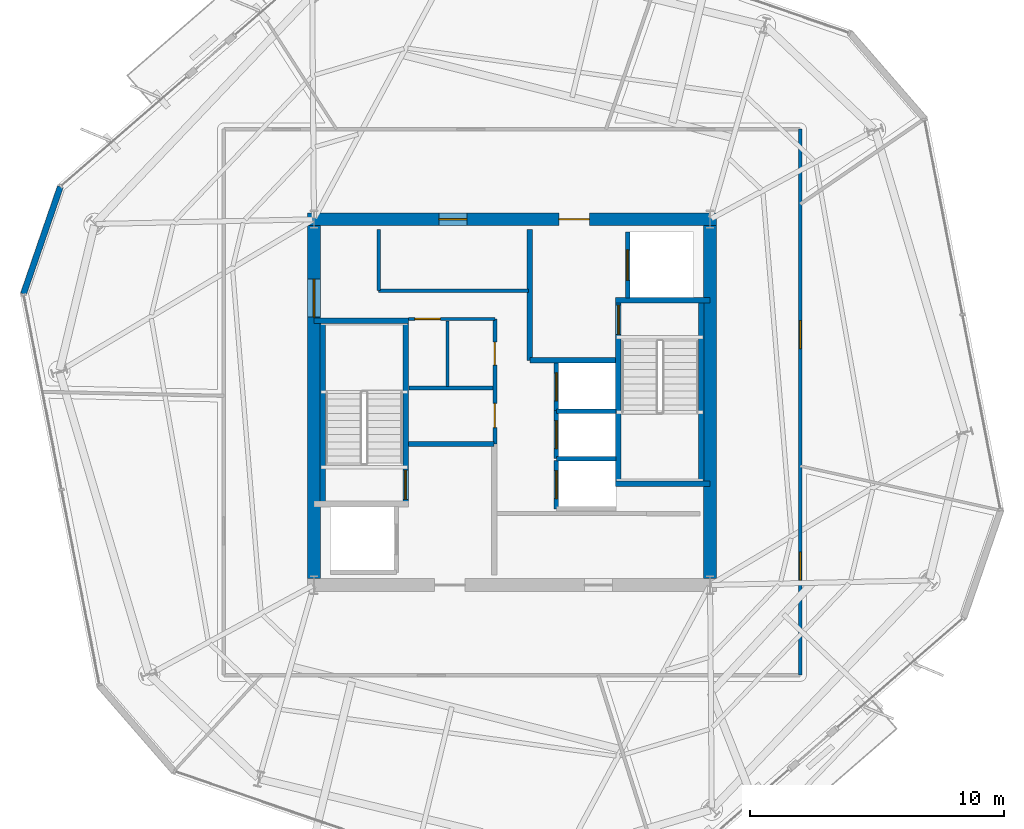
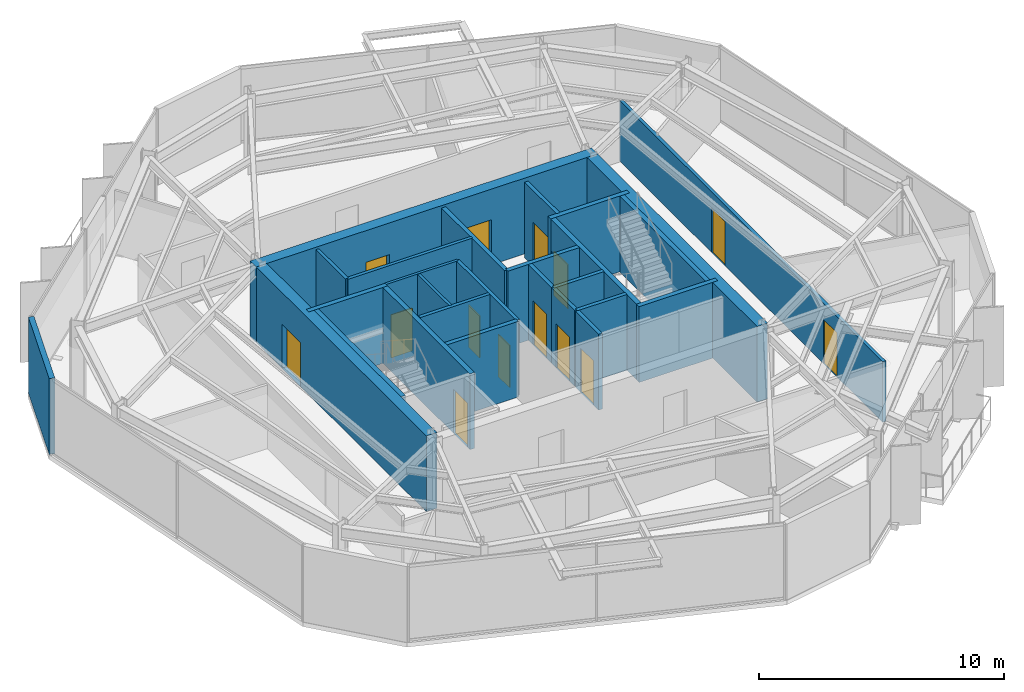
# One storey, part 7 of 11: 27 walls, 14 doors, 14 openings.
"""IFC4 building model written with IfcOpenShell, lengths in metres."""

from ifc_helpers import new_model, si_unit, direction, frame, frame_2d, origin, place, context, subcontext, project, spatial, rectangle, extrude, material, layer, layer_set, type_object, element, fill, save


model = new_model("IFC4")

# Units and contexts
model_context = context("Model", 3, precision=1e-05, world=origin(), true_north=direction((0.0, 1.0)))
body_context = subcontext(model_context, "Body", "Model", "MODEL_VIEW")
ifc_project = project(units=[si_unit("LENGTHUNIT", "METRE"), si_unit("AREAUNIT", "SQUARE_METRE"), si_unit("VOLUMEUNIT", "CUBIC_METRE"), si_unit("PLANEANGLEUNIT", "RADIAN"), si_unit("MASSUNIT", "GRAM", prefix="KILO")], contexts=[model_context])

# Site, building, storey
site_placement = place(None, origin())
site = spatial("IfcSite", under=ifc_project, at=site_placement, CompositionType="ELEMENT")
building_placement = place(site_placement, origin())
building = spatial("IfcBuilding", under=site, at=building_placement, Name="Kranzbogen Civic Tower", CompositionType="ELEMENT")
storey_placement = place(building_placement, frame((0.0, 0.0, 188.800048828125)))
storey = spatial("IfcBuildingStorey", under=building, at=storey_placement, Name="L45", CompositionType="ELEMENT", Elevation=188.800048828125)

# Walls
ifc_material_1 = material(Name="Double-Stud Acoustic Gypsum Partition")
ifc_layer_1 = layer(ifc_material_1, 0.14990234375, Name="Double-Stud Acoustic Gypsum Partition")
ifc_layer_set_1 = layer_set([ifc_layer_1], Name="Double-Stud Acoustic Gypsum Partition")
wall_type_1 = type_object("IfcWallType", Name="Acoustic Corridor and Clinical Partition 150 mm", PredefinedType="PARTITIONING", material=ifc_layer_set_1)
wall_1_placement = place(storey_placement, frame((19.75, 29.389892578125, 0.0), z_axis=(0.0, 0.0, 1.0), x_axis=(1.0, 0.0, 0.0)))
element("IfcWall", 1, at=wall_1_placement, inside=storey, type_object=wall_type_1, Name="L45 digital comms South wall", PredefinedType="PARTITIONING", context=body_context, shape_type="SweptSolid", body=[
    extrude(rectangle(XDim=5.89990234375, YDim=0.14990234375, at=frame_2d((2.949951171875, 0.0))), origin(), (0.0, 0.0, 1.0), 3.780029296875),
])
wall_2_placement = place(storey_placement, frame((19.75, 29.389892578125, 0.0), z_axis=(0.0, 0.0, 1.0), x_axis=(0.0, 1.0, 0.0)))
element("IfcWall", 2, at=wall_2_placement, inside=storey, type_object=wall_type_1, Name="L45 digital comms West wall", PredefinedType="PARTITIONING", context=body_context, shape_type="SweptSolid", body=[
    extrude(rectangle(XDim=2.41015625, YDim=0.14990234375, at=frame_2d((1.205078125, 0.0))), origin(), (0.0, 0.0, 1.0), 3.780029296875),
])

# Wall, openings, doors
wall_3_placement = place(storey_placement, frame((36.35009765625, 35.75, 0.0), z_axis=(0.0, 0.0, 1.0), x_axis=(0.0, -1.0, 0.0)))
wall_3 = element("IfcWall", 3, at=wall_3_placement, inside=storey, type_object=wall_type_1, Name="L45 corridor partition 02", PredefinedType="PARTITIONING", context=body_context, shape_type="SweptSolid", body=[
    extrude(rectangle(XDim=21.5, YDim=0.14990234375, at=frame_2d((10.75, 0.0))), origin(), (0.0, 0.0, 1.0), 3.02001953125),
])
opening_1_placement = place(wall_3_placement, frame((16.656982421875, 0.0, 0.0)))
opening_1 = element("IfcOpeningElement", 4, at=opening_1_placement, cuts=wall_3, Name="Opening D-COR60", PredefinedType="OPENING", context=body_context, shape_type="SweptSolid", body=[
    extrude(rectangle(XDim=1.10009765625, YDim=2.199951171875, at=frame_2d((0.550048828125, 1.10009765625))), frame((0.0, 0.0849609375, 0.0), z_axis=(0.0, -1.0, 0.0), x_axis=(1.0, 0.0, 0.0)), (0.0, 0.0, 1.0), 0.169921875),
])
opening_2_placement = place(wall_3_placement, frame((7.5380859375, 0.0, 0.0)))
opening_2 = element("IfcOpeningElement", 5, at=opening_2_placement, cuts=wall_3, Name="Opening D-COR60", PredefinedType="OPENING", context=body_context, shape_type="SweptSolid", body=[
    extrude(rectangle(XDim=1.10009765625, YDim=2.199951171875, at=frame_2d((0.550048828125, 1.10009765625))), frame((0.0, 0.0849609375, 0.0), z_axis=(0.0, -1.0, 0.0), x_axis=(1.0, 0.0, 0.0)), (0.0, 0.0, 1.0), 0.169921875),
])
ifc_material_2 = material(Name="Oak Timber and Fire Core", Category="wood")
door_type_1 = type_object("IfcDoorType", Name="Corridor Acoustic Fire Door 1100x2200", OperationType="NOTDEFINED", PredefinedType="DOOR", material=ifc_material_2)
door_1_placement = place(opening_1_placement, origin())
door_1 = element("IfcDoor", 6, at=door_1_placement, inside=storey, type_object=door_type_1, Name="L45 Cultural Screening Clubroom door", OperationType="SINGLE_SWING_LEFT", OverallHeight=2.199951171875, OverallWidth=1.10009765625, PredefinedType="DOOR", context=body_context, shape_type="SweptSolid", body=[
    extrude(rectangle(XDim=1.10009765625, YDim=2.199951171875, at=frame_2d((0.550048828125, 1.10009765625))), frame((0.0, 0.02490234375, 0.0), z_axis=(0.0, -1.0, 0.0), x_axis=(1.0, 0.0, 0.0)), (0.0, 0.0, 1.0), 0.050048828125),
])
fill(opening_1, door_1)
door_2_placement = place(opening_2_placement, origin())
door_2 = element("IfcDoor", 7, at=door_2_placement, inside=storey, type_object=door_type_1, Name="L45 Operations Security Control Room door", OperationType="SINGLE_SWING_RIGHT", OverallHeight=2.199951171875, OverallWidth=1.10009765625, PredefinedType="DOOR", context=body_context, shape_type="SweptSolid", body=[
    extrude(rectangle(XDim=1.10009765625, YDim=2.199951171875, at=frame_2d((0.550048828125, 1.10009765625))), frame((0.0, 0.02490234375, 0.0), z_axis=(0.0, -1.0, 0.0), x_axis=(1.0, 0.0, 0.0)), (0.0, 0.0, 1.0), 0.050048828125),
])
fill(opening_2, door_2)

# Wall, opening, door
ifc_material_3 = material(Name="Insulated Metal-Stud Gypsum Partition")
ifc_layer_2 = layer(ifc_material_3, 0.125, Name="Insulated Metal-Stud Gypsum Partition")
ifc_layer_set_2 = layer_set([ifc_layer_2], Name="Insulated Metal-Stud Gypsum Partition")
wall_type_2 = type_object("IfcWallType", Name="Acoustic Inter-Room Partition 125 mm", PredefinedType="PARTITIONING", material=ifc_layer_set_2)
wall_4_placement = place(storey_placement, frame((20.919921875, 28.280029296875, 0.0), z_axis=(0.0, 0.0, 1.0), x_axis=(1.0, 0.0, 0.0)))
wall_4 = element("IfcWall", 8, at=wall_4_placement, inside=storey, type_object=wall_type_2, Name="L45 core auxiliary North wall", PredefinedType="PARTITIONING", context=body_context, shape_type="SweptSolid", body=[
    extrude(rectangle(XDim=3.405029296875, YDim=0.125, at=frame_2d((1.70263671875, 0.0))), origin(), (0.0, 0.0, 1.0), 3.780029296875),
])
opening_3_placement = place(wall_4_placement, frame((0.2548828125, 0.0, 0.0)))
opening_3 = element("IfcOpeningElement", 9, at=opening_3_placement, cuts=wall_4, Name="Opening D-RSR10", PredefinedType="OPENING", context=body_context, shape_type="SweptSolid", body=[
    extrude(rectangle(XDim=1.0, YDim=2.14990234375, at=frame_2d((0.5, 1.074951171875))), frame((0.0, 0.072509765625, 0.0), z_axis=(0.0, -1.0, 0.0), x_axis=(1.0, 0.0, 0.0)), (0.0, 0.0, 1.0), 0.14501953125),
])
door_type_2 = type_object("IfcDoorType", Name="Core Archive and Riser Fire Door 1000x2150", OperationType="NOTDEFINED", PredefinedType="DOOR", material=ifc_material_2)
door_3_placement = place(opening_3_placement, origin())
door_3 = element("IfcDoor", 10, at=door_3_placement, inside=storey, type_object=door_type_2, Name="L45 Telecom and Riser Room door", OperationType="SINGLE_SWING_LEFT", OverallHeight=2.14990234375, OverallWidth=1.0, PredefinedType="DOOR", context=body_context, shape_type="SweptSolid", body=[
    extrude(rectangle(XDim=1.0, YDim=2.14990234375, at=frame_2d((0.5, 1.074951171875))), frame((0.0, 0.02490234375, 0.0), z_axis=(0.0, -1.0, 0.0), x_axis=(1.0, 0.0, 0.0)), (0.0, 0.0, 1.0), 0.050048828125),
])
fill(opening_3, door_3)

# Wall
wall_5_placement = place(storey_placement, frame((22.4599609375, 25.6201171875, 0.0), z_axis=(0.0, 0.0, 1.0), x_axis=(0.0, 1.0, 0.0)))
element("IfcWall", 11, at=wall_5_placement, inside=storey, type_object=wall_type_2, Name="L45 core auxiliary partition 2", PredefinedType="PARTITIONING", context=body_context, shape_type="SweptSolid", body=[
    extrude(rectangle(XDim=2.579833984375, YDim=0.125, at=frame_2d((1.2900390625, 0.0))), origin(), (0.0, 0.0, 1.0), 3.780029296875),
])

# Wall, openings, doors
ifc_material_4 = material(Name="Concrete C45/55", Category="concrete")
ifc_layer_3 = layer(ifc_material_4, 0.5, Name="Concrete C45/55")
ifc_layer_set_3 = layer_set([ifc_layer_3], Name="Concrete C45/55")
wall_type_3 = type_object("IfcWallType", Name="Central Core Shear Wall 500 mm", PredefinedType="SHEAR", material=ifc_layer_set_3)
wall_6_placement = place(storey_placement, frame((33.050048828125, 32.199951171875, 0.0), z_axis=(0.0, 0.0, 1.0), x_axis=(-1.0, 0.0, 0.0)))
wall_6 = element("IfcWall", 12, at=wall_6_placement, inside=storey, type_object=wall_type_3, Name="L45 central core North shear wall", PredefinedType="SHEAR", context=body_context, shape_type="SweptSolid", body=[
    extrude(rectangle(XDim=16.10009765625, YDim=0.5, at=frame_2d((8.050048828125, 0.0))), origin(), (0.0, 0.0, 1.0), 3.780029296875),
])
opening_4_placement = place(wall_6_placement, frame((5.0, 0.0, 0.0)))
opening_4 = element("IfcOpeningElement", 13, at=opening_4_placement, cuts=wall_6, Name="Opening D-EX120", PredefinedType="OPENING", context=body_context, shape_type="SweptSolid", body=[
    extrude(rectangle(XDim=1.199951171875, YDim=2.25, at=frame_2d((0.60009765625, 1.125))), frame((0.0, 0.260009765625, 0.0), z_axis=(0.0, -1.0, 0.0), x_axis=(1.0, 0.0, 0.0)), (0.0, 0.0, 1.0), 0.52001953125),
])
opening_5_placement = place(wall_6_placement, frame((9.824951171875, 0.0, 0.0)))
opening_5 = element("IfcOpeningElement", 14, at=opening_5_placement, cuts=wall_6, Name="Opening D-COR60", PredefinedType="OPENING", context=body_context, shape_type="SweptSolid", body=[
    extrude(rectangle(XDim=1.10009765625, YDim=2.199951171875, at=frame_2d((0.550048828125, 1.10009765625))), frame((0.0, 0.260009765625, 0.0), z_axis=(0.0, -1.0, 0.0), x_axis=(1.0, 0.0, 0.0)), (0.0, 0.0, 1.0), 0.52001953125),
])
door_4_placement = place(opening_5_placement, origin())
door_4 = element("IfcDoor", 15, at=door_4_placement, inside=storey, type_object=door_type_1, Name="L45 DAT1 comms room door", OperationType="SINGLE_SWING_RIGHT", OverallHeight=2.199951171875, OverallWidth=1.10009765625, PredefinedType="DOOR", context=body_context, shape_type="SweptSolid", body=[
    extrude(rectangle(XDim=1.10009765625, YDim=2.199951171875, at=frame_2d((0.550048828125, 1.10009765625))), frame((0.0, 0.02490234375, 0.0), z_axis=(0.0, -1.0, 0.0), x_axis=(1.0, 0.0, 0.0)), (0.0, 0.0, 1.0), 0.050048828125),
])
fill(opening_5, door_4)
ifc_material_5 = material(Name="Steel S355", Category="steel")
door_type_3 = type_object("IfcDoorType", Name="Exit Passageway Fire Door 1200x2250", OperationType="NOTDEFINED", PredefinedType="DOOR", material=ifc_material_5)
door_5_placement = place(opening_4_placement, origin())
door_5 = element("IfcDoor", 16, at=door_5_placement, inside=storey, type_object=door_type_3, Name="L45 East firefighting lobby corridor door", OperationType="SINGLE_SWING_LEFT", OverallHeight=2.25, OverallWidth=1.199951171875, PredefinedType="DOOR", context=body_context, shape_type="SweptSolid", body=[
    extrude(rectangle(XDim=1.199951171875, YDim=2.25, at=frame_2d((0.60009765625, 1.125))), frame((0.0, 0.02490234375, 0.0), z_axis=(0.0, -1.0, 0.0), x_axis=(1.0, 0.0, 0.0)), (0.0, 0.0, 1.0), 0.050048828125),
])
fill(opening_4, door_5)

# Wall, opening, door
wall_7_placement = place(storey_placement, frame((17.199951171875, 31.949951171875, 0.0), z_axis=(0.0, 0.0, 1.0), x_axis=(0.0, -1.0, 0.0)))
wall_7 = element("IfcWall", 17, at=wall_7_placement, inside=storey, type_object=wall_type_3, Name="L45 central core West shear wall", PredefinedType="SHEAR", context=body_context, shape_type="SweptSolid", body=[
    extrude(rectangle(XDim=13.89990234375, YDim=0.5, at=frame_2d((6.949951171875, 0.0))), origin(), (0.0, 0.0, 1.0), 3.780029296875),
])
opening_6_placement = place(wall_7_placement, frame((2.10009765625, 0.0, 0.0)))
opening_6 = element("IfcOpeningElement", 18, at=opening_6_placement, cuts=wall_7, Name="Opening D-DBL15", PredefinedType="OPENING", context=body_context, shape_type="SweptSolid", body=[
    extrude(rectangle(XDim=1.5, YDim=2.199951171875, at=frame_2d((0.75, 1.10009765625))), frame((0.0, 0.260009765625, 0.0), z_axis=(0.0, -1.0, 0.0), x_axis=(1.0, 0.0, 0.0)), (0.0, 0.0, 1.0), 0.52001953125),
])
ifc_material_6 = material(Name="Anodised Bronze and Glass", Category="glass")
door_type_4 = type_object("IfcDoorType", Name="Civic Lobby Double Door 1500x2200", OperationType="DOUBLE_DOOR_SINGLE_SWING", PredefinedType="DOOR", material=ifc_material_6)
door_6_placement = place(opening_6_placement, origin())
door_6 = element("IfcDoor", 19, at=door_6_placement, inside=storey, type_object=door_type_4, Name="L45 Central Lift Lobby West concourse door", OperationType="DOUBLE_DOOR_SINGLE_SWING", OverallHeight=2.199951171875, OverallWidth=1.5, PredefinedType="DOOR", context=body_context, shape_type="SweptSolid", body=[
    extrude(rectangle(XDim=1.5, YDim=2.199951171875, at=frame_2d((0.75, 1.10009765625))), frame((0.0, 0.02490234375, 0.0), z_axis=(0.0, -1.0, 0.0), x_axis=(1.0, 0.0, 0.0)), (0.0, 0.0, 1.0), 0.050048828125),
])
fill(opening_6, door_6)

# Wall
wall_8_placement = place(storey_placement, frame((32.800048828125, 18.050048828125, 0.0), z_axis=(0.0, 0.0, 1.0), x_axis=(0.0, 1.0, 0.0)))
element("IfcWall", 20, at=wall_8_placement, inside=storey, type_object=wall_type_3, Name="L45 central core East shear wall", PredefinedType="SHEAR", context=body_context, shape_type="SweptSolid", body=[
    extrude(rectangle(XDim=13.89990234375, YDim=0.5, at=frame_2d((6.949951171875, 0.0))), origin(), (0.0, 0.0, 1.0), 3.780029296875),
])

# Wall, opening, door
ifc_layer_4 = layer(ifc_material_4, 0.219970703125, Name="Concrete C45/55")
ifc_layer_set_4 = layer_set([ifc_layer_4], Name="Concrete C45/55")
wall_type_4 = type_object("IfcWallType", Name="Core Internal Stair Structural Wall 220 mm", PredefinedType="SOLIDWALL", material=ifc_layer_set_4)
wall_9_placement = place(storey_placement, frame((20.81005859375, 20.989990234375, 0.0), z_axis=(0.0, 0.0, 1.0), x_axis=(0.0, 1.0, 0.0)))
wall_9 = element("IfcWall", 21, at=wall_9_placement, inside=storey, type_object=wall_type_4, Name="L45 ST-T1 East structural stair wall", PredefinedType="SOLIDWALL", context=body_context, shape_type="SweptSolid", body=[
    extrude(rectangle(XDim=7.219970703125, YDim=0.219970703125, at=frame_2d((3.60986328125, 0.0))), origin(), (0.0, 0.0, 1.0), 3.780029296875),
])
opening_7_placement = place(wall_9_placement, frame((0.179931640625, 0.0, 0.0)))
opening_7 = element("IfcOpeningElement", 22, at=opening_7_placement, cuts=wall_9, Name="Opening D-ST90", PredefinedType="OPENING", context=body_context, shape_type="SweptSolid", body=[
    extrude(rectangle(XDim=1.14990234375, YDim=2.199951171875, at=frame_2d((0.574951171875, 1.10009765625))), frame((0.0, 0.1201171875, 0.0), z_axis=(0.0, -1.0, 0.0), x_axis=(1.0, 0.0, 0.0)), (0.0, 0.0, 1.0), 0.239990234375),
])
door_type_5 = type_object("IfcDoorType", Name="Pressurized Stair and Lobby Fire Door 1150x2200", OperationType="NOTDEFINED", PredefinedType="DOOR", material=ifc_material_5)
door_7_placement = place(opening_7_placement, origin())
door_7 = element("IfcDoor", 23, at=door_7_placement, inside=storey, type_object=door_type_5, Name="L45 Stair ST-T1 fire door", OperationType="SINGLE_SWING_RIGHT", OverallHeight=2.199951171875, OverallWidth=1.14990234375, PredefinedType="DOOR", context=body_context, shape_type="SweptSolid", body=[
    extrude(rectangle(XDim=1.14990234375, YDim=2.199951171875, at=frame_2d((0.574951171875, 1.10009765625))), frame((0.0, 0.02490234375, 0.0), z_axis=(0.0, -1.0, 0.0), x_axis=(1.0, 0.0, 0.0)), (0.0, 0.0, 1.0), 0.050048828125),
])
fill(opening_7, door_7)

# Walls
wall_10_placement = place(storey_placement, frame((17.199951171875, 28.2099609375, 0.0), z_axis=(0.0, 0.0, 1.0), x_axis=(1.0, 0.0, 0.0)))
element("IfcWall", 24, at=wall_10_placement, inside=storey, type_object=wall_type_4, Name="L45 ST-T1 North structural stair wall", PredefinedType="SOLIDWALL", context=body_context, shape_type="SweptSolid", body=[
    extrude(rectangle(XDim=3.719970703125, YDim=0.219970703125, at=frame_2d((1.85986328125, 0.0))), origin(), (0.0, 0.0, 1.0), 3.780029296875),
])
wall_11_placement = place(storey_placement, frame((17.554931640625, 28.2099609375, 0.0), z_axis=(0.0, 0.0, 1.0), x_axis=(0.0, -1.0, 0.0)))
element("IfcWall", 25, at=wall_11_placement, inside=storey, type_object=wall_type_4, Name="L45 ST-T1 West structural stair wall", PredefinedType="SOLIDWALL", context=body_context, shape_type="SweptSolid", body=[
    extrude(rectangle(XDim=7.219970703125, YDim=0.219970703125, at=frame_2d((3.60986328125, 0.0))), origin(), (0.0, 0.0, 1.0), 3.780029296875),
])

# Wall, opening, door
wall_12_placement = place(storey_placement, frame((29.18994140625, 21.7900390625, 0.0), z_axis=(0.0, 0.0, 1.0), x_axis=(0.0, 1.0, 0.0)))
wall_12 = element("IfcWall", 26, at=wall_12_placement, inside=storey, type_object=wall_type_4, Name="L45 ST-T2 West structural stair wall", PredefinedType="SOLIDWALL", context=body_context, shape_type="SweptSolid", body=[
    extrude(rectangle(XDim=7.219970703125, YDim=0.219970703125, at=frame_2d((3.60986328125, 0.0))), origin(), (0.0, 0.0, 1.0), 3.780029296875),
])
opening_8_placement = place(wall_12_placement, frame((5.8798828125, 0.0, 0.0)))
opening_8 = element("IfcOpeningElement", 27, at=opening_8_placement, cuts=wall_12, Name="Opening D-ST90", PredefinedType="OPENING", context=body_context, shape_type="SweptSolid", body=[
    extrude(rectangle(XDim=1.14990234375, YDim=2.199951171875, at=frame_2d((0.574951171875, 1.10009765625))), frame((0.0, 0.1201171875, 0.0), z_axis=(0.0, -1.0, 0.0), x_axis=(1.0, 0.0, 0.0)), (0.0, 0.0, 1.0), 0.239990234375),
])
door_8_placement = place(opening_8_placement, origin())
door_8 = element("IfcDoor", 28, at=door_8_placement, inside=storey, type_object=door_type_5, Name="L45 Stair ST-T2 fire door", OperationType="SINGLE_SWING_LEFT", OverallHeight=2.199951171875, OverallWidth=1.14990234375, PredefinedType="DOOR", context=body_context, shape_type="SweptSolid", body=[
    extrude(rectangle(XDim=1.14990234375, YDim=2.199951171875, at=frame_2d((0.574951171875, 1.10009765625))), frame((0.0, 0.02490234375, 0.0), z_axis=(0.0, -1.0, 0.0), x_axis=(1.0, 0.0, 0.0)), (0.0, 0.0, 1.0), 0.050048828125),
])
fill(opening_8, door_8)

# Walls
for number, where, z_axis, x_axis, name in (
    (29, (29.080078125, 21.7900390625, 0.0), (0.0, 0.0, 1.0), (1.0, 0.0, 0.0), "L45 ST-T2 South structural stair wall"),
    (30, (29.080078125, 29.010009765625, 0.0), (0.0, 0.0, 1.0), (1.0, 0.0, 0.0), "L45 ST-T2 North structural stair wall"),
):
    element("IfcWall", number, at=place(storey_placement, frame(where, z_axis=z_axis, x_axis=x_axis)), inside=storey, type_object=wall_type_4, Name=name, PredefinedType="SOLIDWALL", context=body_context, shape_type="SweptSolid", body=[
        extrude(rectangle(XDim=3.719970703125, YDim=0.219970703125, at=frame_2d((1.85986328125, 0.0))), origin(), (0.0, 0.0, 1.0), 3.780029296875),
    ])
wall_13_placement = place(storey_placement, frame((32.445068359375, 29.010009765625, 0.0), z_axis=(0.0, 0.0, 1.0), x_axis=(0.0, -1.0, 0.0)))
element("IfcWall", 31, at=wall_13_placement, inside=storey, type_object=wall_type_4, Name="L45 ST-T2 East structural stair wall", PredefinedType="SOLIDWALL", context=body_context, shape_type="SweptSolid", body=[
    extrude(rectangle(XDim=7.219970703125, YDim=0.219970703125, at=frame_2d((3.60986328125, 0.0))), origin(), (0.0, 0.0, 1.0), 3.780029296875),
])
ifc_material_7 = material(Name="Gypsum Fireboard and Concrete Block", Category="concrete")
ifc_layer_5 = layer(ifc_material_7, 0.199951171875, Name="Gypsum Fireboard and Concrete Block")
ifc_layer_set_5 = layer_set([ifc_layer_5], Name="Gypsum Fireboard and Concrete Block")
wall_type_5 = type_object("IfcWallType", Name="Fire-Rated Exit Passageway and Stair Wall 200 mm", PredefinedType="PARTITIONING", material=ifc_layer_set_5)
wall_14_placement = place(storey_placement, frame((20.919921875, 23.35009765625, 0.0), z_axis=(0.0, 0.0, 1.0), x_axis=(1.0, 0.0, 0.0)))
element("IfcWall", 32, at=wall_14_placement, inside=storey, type_object=wall_type_5, Name="L45 West firefighting lobby North wall", PredefinedType="PARTITIONING", context=body_context, shape_type="SweptSolid", body=[
    extrude(rectangle(XDim=3.380126953125, YDim=0.199951171875, at=frame_2d((1.68994140625, 0.0))), origin(), (0.0, 0.0, 1.0), 3.780029296875),
])
wall_15_placement = place(storey_placement, frame((25.699951171875, 26.64990234375, 0.0), z_axis=(0.0, 0.0, 1.0), x_axis=(0.0, 1.0, 0.0)))
element("IfcWall", 33, at=wall_15_placement, inside=storey, type_object=wall_type_5, Name="L45 East firefighting lobby West wall", PredefinedType="PARTITIONING", context=body_context, shape_type="SweptSolid", body=[
    extrude(rectangle(XDim=5.150146484375, YDim=0.199951171875, at=frame_2d((2.5751953125, 0.0))), origin(), (0.0, 0.0, 1.0), 3.780029296875),
])
wall_16_placement = place(storey_placement, frame((25.699951171875, 26.64990234375, 0.0), z_axis=(0.0, 0.0, 1.0), x_axis=(1.0, 0.0, 0.0)))
element("IfcWall", 34, at=wall_16_placement, inside=storey, type_object=wall_type_5, Name="L45 East firefighting lobby South wall", PredefinedType="PARTITIONING", context=body_context, shape_type="SweptSolid", body=[
    extrude(rectangle(XDim=3.380126953125, YDim=0.199951171875, at=frame_2d((1.68994140625, 0.0))), origin(), (0.0, 0.0, 1.0), 3.780029296875),
])

# Wall, opening, door
ifc_material_8 = material(Name="Gypsum Fireboard Shaftliner")
ifc_layer_6 = layer(ifc_material_8, 0.175048828125, Name="Gypsum Fireboard Shaftliner")
ifc_layer_set_6 = layer_set([ifc_layer_6], Name="Gypsum Fireboard Shaftliner")
wall_type_6 = type_object("IfcWallType", Name="Fire-Rated Lift and Service Shaft Wall 175 mm", PredefinedType="PARTITIONING", material=ifc_layer_set_6)
wall_17_placement = place(storey_placement, frame((26.75, 20.800048828125, 0.0), z_axis=(0.0, 0.0, 1.0), x_axis=(0.0, 1.0, 0.0)))
wall_17 = element("IfcWall", 35, at=wall_17_placement, inside=storey, type_object=wall_type_6, Name="L45 lift HP-01 landing wall", PredefinedType="PARTITIONING", context=body_context, shape_type="SweptSolid", body=[
    extrude(rectangle(XDim=1.89990234375, YDim=0.175048828125, at=frame_2d((0.949951171875, 0.0))), origin(), (0.0, 0.0, 1.0), 3.780029296875),
])
opening_9_placement = place(wall_17_placement, frame((0.39990234375, 0.0, 0.0)))
opening_9 = element("IfcOpeningElement", 36, at=opening_9_placement, cuts=wall_17, Name="Opening LD-HP-01", PredefinedType="OPENING", context=body_context, shape_type="SweptSolid", body=[
    extrude(rectangle(XDim=1.10009765625, YDim=2.199951171875, at=frame_2d((0.550048828125, 1.10009765625))), frame((0.0, 0.09765625, 0.0), z_axis=(0.0, -1.0, 0.0), x_axis=(1.0, 0.0, 0.0)), (0.0, 0.0, 1.0), 0.195068359375),
])
ifc_material_9 = material(Name="Pale Anodised Aluminium", Category="aluminium")
door_type_6 = type_object("IfcDoorType", Name="Passenger Lift Sliding Landing Door 1100x2200", OperationType="DOUBLE_DOOR_SLIDING", PredefinedType="DOOR", material=ifc_material_9)
door_9_placement = place(opening_9_placement, origin())
door_9 = element("IfcDoor", 37, at=door_9_placement, inside=storey, type_object=door_type_6, Name="L45 lift HP-01 sliding landing door", OperationType="DOUBLE_DOOR_SLIDING", OverallHeight=2.199951171875, OverallWidth=1.10009765625, PredefinedType="DOOR", context=body_context, shape_type="SweptSolid", body=[
    extrude(rectangle(XDim=1.10009765625, YDim=2.199951171875, at=frame_2d((0.550048828125, 1.10009765625))), frame((0.0, 0.02490234375, 0.0), z_axis=(0.0, -1.0, 0.0), x_axis=(1.0, 0.0, 0.0)), (0.0, 0.0, 1.0), 0.050048828125),
])
fill(opening_9, door_9)

wall_18_placement = place(storey_placement, frame((26.75, 22.77490234375, 0.0), z_axis=(0.0, 0.0, 1.0), x_axis=(0.0, 1.0, 0.0)))
wall_18 = element("IfcWall", 38, at=wall_18_placement, inside=storey, type_object=wall_type_6, Name="L45 lift HP-02 landing wall", PredefinedType="PARTITIONING", context=body_context, shape_type="SweptSolid", body=[
    extrude(rectangle(XDim=1.900146484375, YDim=0.175048828125, at=frame_2d((0.9501953125, 0.0))), origin(), (0.0, 0.0, 1.0), 3.780029296875),
])
opening_10_placement = place(wall_18_placement, frame((0.39990234375, 0.0, 0.0)))
opening_10 = element("IfcOpeningElement", 39, at=opening_10_placement, cuts=wall_18, Name="Opening LD-HP-02", PredefinedType="OPENING", context=body_context, shape_type="SweptSolid", body=[
    extrude(rectangle(XDim=1.10009765625, YDim=2.199951171875, at=frame_2d((0.550048828125, 1.10009765625))), frame((0.0, 0.09765625, 0.0), z_axis=(0.0, -1.0, 0.0), x_axis=(1.0, 0.0, 0.0)), (0.0, 0.0, 1.0), 0.195068359375),
])
door_10_placement = place(opening_10_placement, origin())
door_10 = element("IfcDoor", 40, at=door_10_placement, inside=storey, type_object=door_type_6, Name="L45 lift HP-02 sliding landing door", OperationType="DOUBLE_DOOR_SLIDING", OverallHeight=2.199951171875, OverallWidth=1.10009765625, PredefinedType="DOOR", context=body_context, shape_type="SweptSolid", body=[
    extrude(rectangle(XDim=1.10009765625, YDim=2.199951171875, at=frame_2d((0.550048828125, 1.10009765625))), frame((0.0, 0.02490234375, 0.0), z_axis=(0.0, -1.0, 0.0), x_axis=(1.0, 0.0, 0.0)), (0.0, 0.0, 1.0), 0.050048828125),
])
fill(opening_10, door_10)

# Wall
wall_19_placement = place(storey_placement, frame((26.75, 22.77490234375, 0.0), z_axis=(0.0, 0.0, 1.0), x_axis=(1.0, 0.0, 0.0)))
element("IfcWall", 41, at=wall_19_placement, inside=storey, type_object=wall_type_6, Name="L45 lift HP-02 side wall", PredefinedType="PARTITIONING", context=body_context, shape_type="SweptSolid", body=[
    extrude(rectangle(XDim=2.35009765625, YDim=0.175048828125, at=frame_2d((1.175048828125, 0.0))), origin(), (0.0, 0.0, 1.0), 3.780029296875),
])

# Wall, opening, door
wall_20_placement = place(storey_placement, frame((26.75, 24.64990234375, 0.0), z_axis=(0.0, 0.0, 1.0), x_axis=(0.0, 1.0, 0.0)))
wall_20 = element("IfcWall", 42, at=wall_20_placement, inside=storey, type_object=wall_type_6, Name="L45 lift HP-03 landing wall", PredefinedType="PARTITIONING", context=body_context, shape_type="SweptSolid", body=[
    extrude(rectangle(XDim=1.900146484375, YDim=0.175048828125, at=frame_2d((0.9501953125, 0.0))), origin(), (0.0, 0.0, 1.0), 3.780029296875),
])
opening_11_placement = place(wall_20_placement, frame((0.39990234375, 0.0, 0.0)))
opening_11 = element("IfcOpeningElement", 43, at=opening_11_placement, cuts=wall_20, Name="Opening LD-HP-03", PredefinedType="OPENING", context=body_context, shape_type="SweptSolid", body=[
    extrude(rectangle(XDim=1.10009765625, YDim=2.199951171875, at=frame_2d((0.550048828125, 1.10009765625))), frame((0.0, 0.09765625, 0.0), z_axis=(0.0, -1.0, 0.0), x_axis=(1.0, 0.0, 0.0)), (0.0, 0.0, 1.0), 0.195068359375),
])
door_11_placement = place(opening_11_placement, origin())
door_11 = element("IfcDoor", 44, at=door_11_placement, inside=storey, type_object=door_type_6, Name="L45 lift HP-03 sliding landing door", OperationType="DOUBLE_DOOR_SLIDING", OverallHeight=2.199951171875, OverallWidth=1.10009765625, PredefinedType="DOOR", context=body_context, shape_type="SweptSolid", body=[
    extrude(rectangle(XDim=1.10009765625, YDim=2.199951171875, at=frame_2d((0.550048828125, 1.10009765625))), frame((0.0, 0.02490234375, 0.0), z_axis=(0.0, -1.0, 0.0), x_axis=(1.0, 0.0, 0.0)), (0.0, 0.0, 1.0), 0.050048828125),
])
fill(opening_11, door_11)

# Wall
wall_21_placement = place(storey_placement, frame((26.75, 24.64990234375, 0.0), z_axis=(0.0, 0.0, 1.0), x_axis=(1.0, 0.0, 0.0)))
element("IfcWall", 45, at=wall_21_placement, inside=storey, type_object=wall_type_6, Name="L45 lift HP-03 side wall", PredefinedType="PARTITIONING", context=body_context, shape_type="SweptSolid", body=[
    extrude(rectangle(XDim=2.35009765625, YDim=0.175048828125, at=frame_2d((1.175048828125, 0.0))), origin(), (0.0, 0.0, 1.0), 3.780029296875),
])

# Wall, opening, door
wall_22_placement = place(storey_placement, frame((29.550048828125, 29.10009765625, 0.0), z_axis=(0.0, 0.0, 1.0), x_axis=(0.0, 1.0, 0.0)))
wall_22 = element("IfcWall", 46, at=wall_22_placement, inside=storey, type_object=wall_type_6, Name="L45 lift FF-02 landing wall", PredefinedType="PARTITIONING", context=body_context, shape_type="SweptSolid", body=[
    extrude(rectangle(XDim=2.599853515625, YDim=0.175048828125, at=frame_2d((1.2998046875, 0.0))), origin(), (0.0, 0.0, 1.0), 3.780029296875),
])
opening_12_placement = place(wall_22_placement, frame((0.699951171875, 0.0, 0.0)))
opening_12 = element("IfcOpeningElement", 47, at=opening_12_placement, cuts=wall_22, Name="Opening LD-FF-02", PredefinedType="OPENING", context=body_context, shape_type="SweptSolid", body=[
    extrude(rectangle(XDim=1.199951171875, YDim=2.199951171875, at=frame_2d((0.60009765625, 1.10009765625))), frame((0.0, 0.09765625, 0.0), z_axis=(0.0, -1.0, 0.0), x_axis=(1.0, 0.0, 0.0)), (0.0, 0.0, 1.0), 0.195068359375),
])
door_type_7 = type_object("IfcDoorType", Name="Firefighting and Stretcher Lift Sliding Landing Door 1200x2200", OperationType="DOUBLE_DOOR_SLIDING", PredefinedType="DOOR", material=ifc_material_9)
door_12_placement = place(opening_12_placement, origin())
door_12 = element("IfcDoor", 48, at=door_12_placement, inside=storey, type_object=door_type_7, Name="L45 lift FF-02 sliding landing door", OperationType="DOUBLE_DOOR_SLIDING", OverallHeight=2.199951171875, OverallWidth=1.199951171875, PredefinedType="DOOR", context=body_context, shape_type="SweptSolid", body=[
    extrude(rectangle(XDim=1.199951171875, YDim=2.199951171875, at=frame_2d((0.60009765625, 1.10009765625))), frame((0.0, 0.02490234375, 0.0), z_axis=(0.0, -1.0, 0.0), x_axis=(1.0, 0.0, 0.0)), (0.0, 0.0, 1.0), 0.050048828125),
])
fill(opening_12, door_12)

# Wall
ifc_layer_7 = layer(ifc_material_9, 0.239990234375, Name="Pale Anodised Aluminium")
ifc_layer_set_7 = layer_set([ifc_layer_7], Name="Pale Anodised Aluminium")
wall_type_7 = type_object("IfcWallType", Name="Insulated Aluminium Facade Portal Wall 240 mm", PredefinedType="STANDARD", material=ifc_layer_set_7)
wall_23_placement = place(storey_placement, frame((7.216064453125, 33.486083984375, 0.0), z_axis=(0.0, 0.0, 1.0), x_axis=(-0.325492114227, -0.94554475493, 0.0)))
element("IfcWall", 49, at=wall_23_placement, inside=storey, type_object=wall_type_7, Name="L45 chamfered corner facade spandrel 2", PredefinedType="STANDARD", context=body_context, shape_type="SweptSolid", body=[
    extrude(rectangle(XDim=4.46728515625, YDim=0.239990234375, at=frame_2d((2.233642578125, 0.0))), origin(), (0.0, 0.0, 1.0), 3.780029296875),
])

# Wall, openings, doors
ifc_material_10 = material(Name="Moisture-Resistant Gypsum Assembly")
ifc_layer_8 = layer(ifc_material_10, 0.159912109375, Name="Moisture-Resistant Gypsum Assembly")
ifc_layer_set_8 = layer_set([ifc_layer_8], Name="Moisture-Resistant Gypsum Assembly")
wall_type_8 = type_object("IfcWallType", Name="Sanitary and Plumbing Wet Wall 160 mm", PredefinedType="PLUMBINGWALL", material=ifc_layer_set_8)
wall_24_placement = place(storey_placement, frame((24.324951171875, 23.35009765625, 0.0), z_axis=(0.0, 0.0, 1.0), x_axis=(0.0, 1.0, 0.0)))
wall_24 = element("IfcWall", 50, at=wall_24_placement, inside=storey, type_object=wall_type_8, Name="L45 core auxiliary East wall", PredefinedType="PLUMBINGWALL", context=body_context, shape_type="SweptSolid", body=[
    extrude(rectangle(XDim=4.929931640625, YDim=0.159912109375, at=frame_2d((2.46484375, 0.0))), origin(), (0.0, 0.0, 1.0), 3.780029296875),
])
opening_13_placement = place(wall_24_placement, frame((0.64990234375, 0.0, 0.0)))
opening_13 = element("IfcOpeningElement", 51, at=opening_13_placement, cuts=wall_24, Name="Opening D-AWC95", PredefinedType="OPENING", context=body_context, shape_type="SweptSolid", body=[
    extrude(rectangle(XDim=0.949951171875, YDim=2.10009765625, at=frame_2d((0.47509765625, 1.050048828125))), frame((0.0, 0.08984375, 0.0), z_axis=(0.0, -1.0, 0.0), x_axis=(1.0, 0.0, 0.0)), (0.0, 0.0, 1.0), 0.179931640625),
])
opening_14_placement = place(wall_24_placement, frame((3.110107421875, 0.0, 0.0)))
opening_14 = element("IfcOpeningElement", 52, at=opening_14_placement, cuts=wall_24, Name="Opening D-WC90", PredefinedType="OPENING", context=body_context, shape_type="SweptSolid", body=[
    extrude(rectangle(XDim=0.89990234375, YDim=2.10009765625, at=frame_2d((0.449951171875, 1.050048828125))), frame((0.0, 0.08984375, 0.0), z_axis=(0.0, -1.0, 0.0), x_axis=(1.0, 0.0, 0.0)), (0.0, 0.0, 1.0), 0.179931640625),
])
ifc_material_11 = material(Name="Moisture-Resistant Laminate")
door_type_8 = type_object("IfcDoorType", Name="Accessible Restroom Door 950x2100", OperationType="NOTDEFINED", PredefinedType="DOOR", material=ifc_material_11)
door_13_placement = place(opening_13_placement, origin())
door_13 = element("IfcDoor", 53, at=door_13_placement, inside=storey, type_object=door_type_8, Name="L45 Accessible Restroom door", OperationType="SINGLE_SWING_RIGHT", OverallHeight=2.10009765625, OverallWidth=0.949951171875, PredefinedType="DOOR", context=body_context, shape_type="SweptSolid", body=[
    extrude(rectangle(XDim=0.949951171875, YDim=2.10009765625, at=frame_2d((0.47509765625, 1.050048828125))), frame((0.0, 0.02490234375, 0.0), z_axis=(0.0, -1.0, 0.0), x_axis=(1.0, 0.0, 0.0)), (0.0, 0.0, 1.0), 0.050048828125),
])
fill(opening_13, door_13)
door_type_9 = type_object("IfcDoorType", Name="Standard Restroom and Store Door 900x2100", OperationType="NOTDEFINED", PredefinedType="DOOR", material=ifc_material_11)
door_14_placement = place(opening_14_placement, origin())
door_14 = element("IfcDoor", 54, at=door_14_placement, inside=storey, type_object=door_type_9, Name="L45 Staff Restroom door", OperationType="SINGLE_SWING_RIGHT", OverallHeight=2.10009765625, OverallWidth=0.89990234375, PredefinedType="DOOR", context=body_context, shape_type="SweptSolid", body=[
    extrude(rectangle(XDim=0.89990234375, YDim=2.10009765625, at=frame_2d((0.449951171875, 1.050048828125))), frame((0.0, 0.02490234375, 0.0), z_axis=(0.0, -1.0, 0.0), x_axis=(1.0, 0.0, 0.0)), (0.0, 0.0, 1.0), 0.050048828125),
])
fill(opening_14, door_14)

# Wall
wall_25_placement = place(storey_placement, frame((20.949951171875, 25.56005859375, 0.0), z_axis=(0.0, 0.0, 1.0), x_axis=(1.0, 0.0, 0.0)))
element("IfcWall", 55, at=wall_25_placement, inside=storey, type_object=wall_type_8, Name="L45 core auxiliary partition 1", PredefinedType="PLUMBINGWALL", context=body_context, shape_type="SweptSolid", body=[
    extrude(rectangle(XDim=3.300048828125, YDim=0.159912109375, at=frame_2d((1.64990234375, 0.0))), origin(), (0.0, 0.0, 1.0), 3.780029296875),
])

save(model, "model.ifc")
